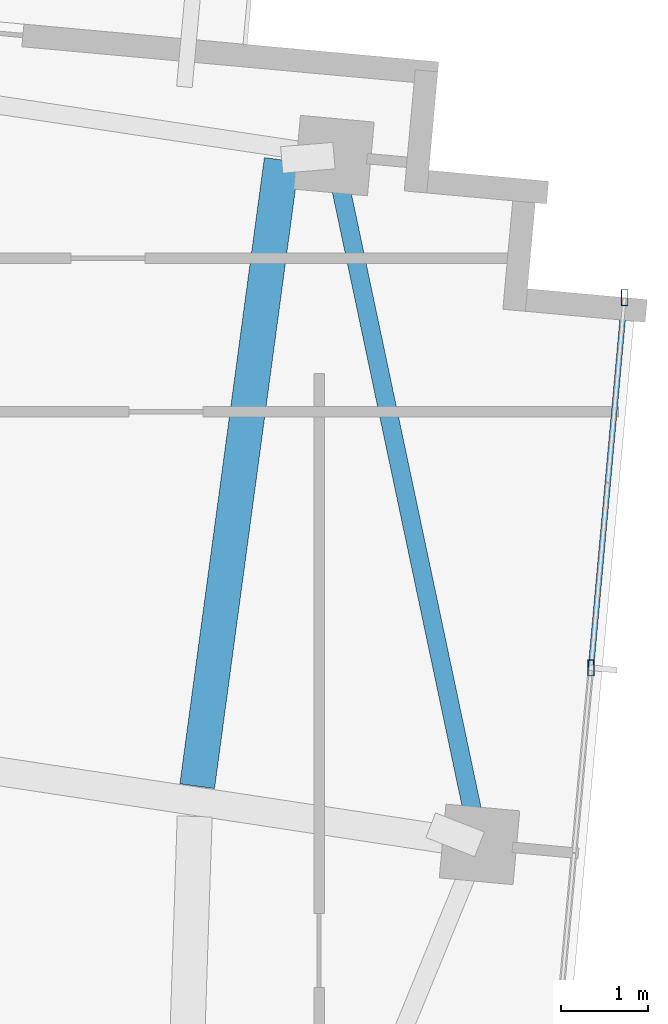
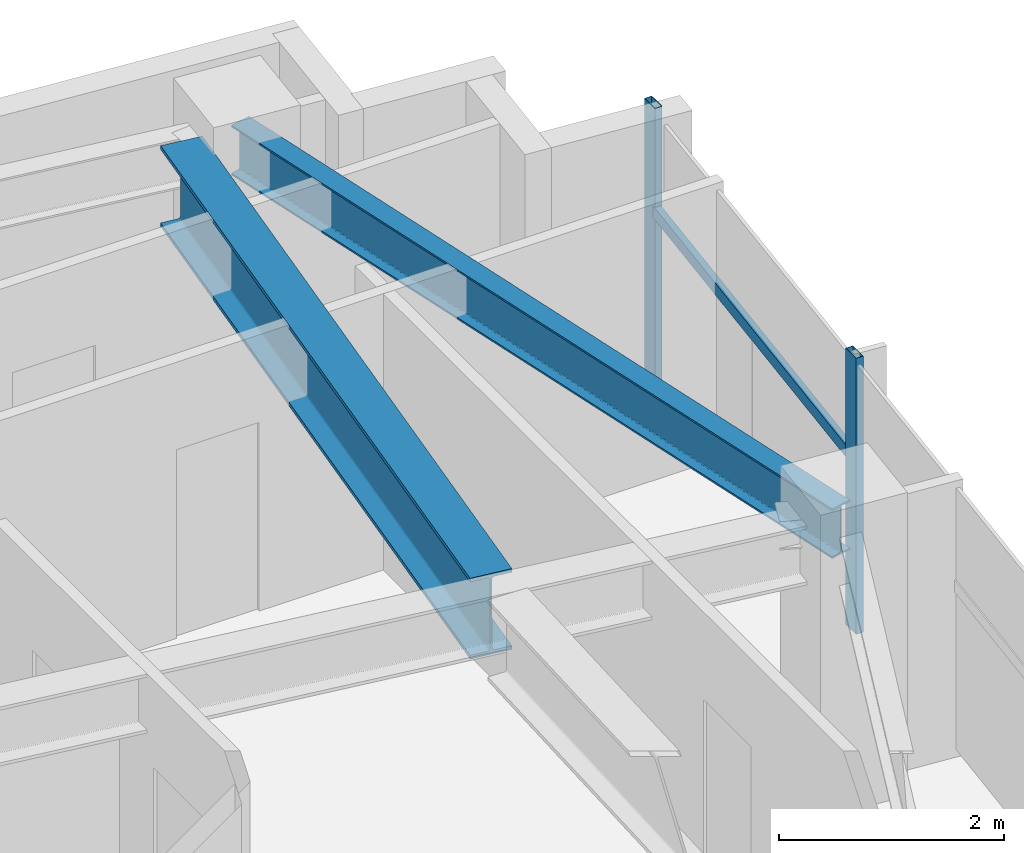
# One storey, part 14 of 22: 3 members, 2 beams, 1 element without a shape of its own.
"""IFC4 building model written with IfcOpenShell, lengths in metres."""

from ifc_helpers import new_model, si_unit, direction, frame, origin, origin_2d, place, context, subcontext, project, spatial, hollow_rectangle, i_section, extrude, source, transform, mapped, material, material_profile, profile_set, type_object, type_shapes, element, aggregate, save


model = new_model("IFC4")

# Units and contexts
model_context = context("Model", 3, precision=1e-05, world=origin(), true_north=direction((0.0, 1.0)))
body_context = subcontext(model_context, "Body", "Model", "MODEL_VIEW")
ifc_project = project(units=[si_unit("LENGTHUNIT", "METRE"), si_unit("AREAUNIT", "SQUARE_METRE"), si_unit("VOLUMEUNIT", "CUBIC_METRE"), si_unit("PLANEANGLEUNIT", "RADIAN"), si_unit("MASSUNIT", "GRAM", prefix="KILO")], contexts=[model_context])

# Site, building, storey
site_placement = place(None, origin())
site = spatial("IfcSite", under=ifc_project, at=site_placement, CompositionType="ELEMENT")
building_placement = place(site_placement, origin())
building = spatial("IfcBuilding", under=site, at=building_placement, Name="Astriad Promenade Condominiums", CompositionType="ELEMENT")
storey_placement = place(building_placement, frame((0.0, 0.0, 256.199951171875)))
storey = spatial("IfcBuildingStorey", under=building, at=storey_placement, Name="L74", CompositionType="ELEMENT", Elevation=256.199951171875)

# Beams
ifc_material_1 = material(Name="Steel ASTM A992 Grade 50", Category="steel")
ifc_material_profile_1 = material_profile(ifc_material_1, i_section(OverallWidth=0.210693359375, OverallDepth=0.53955078125, WebThickness=0.01171875, FlangeThickness=0.018798828125, FilletRadius=0.0166015625, at=origin_2d()), Name="W21X73")
ifc_profile_set_1 = profile_set([ifc_material_profile_1], Name="Steel ASTM A992 Grade 50")
beam_type_1 = type_object("IfcBeamType", Name="STEEL SPANDREL BEAM W21X73", PredefinedType="SPANDREL", material=ifc_profile_set_1)
shared_shape_1 = source(origin(), body_context, "Body", "SweptSolid", [
    extrude(i_section(OverallWidth=0.210693359375, OverallDepth=0.53955078125, WebThickness=0.01171875, FlangeThickness=0.018798828125, FilletRadius=0.0166015625, at=origin_2d()), origin(), (0.0, 0.0, 1.0), 7.99853515625),
])
type_shapes(beam_type_1, [shared_shape_1])
beam_1_placement = place(storey_placement, frame((54.88037109375, 16.02880859375, 2.73046875), z_axis=(-0.20676418926, 0.978390806396, 0.0), x_axis=(-0.978390806396, -0.20676418926, 0.0)))
element("IfcBeam", 1, at=beam_1_placement, inside=storey, type_object=beam_type_1, Name="Perimeter Spandrel Beam SP-E2-L74", PredefinedType="SPANDREL", context=body_context, shape_type="MappedRepresentation", body=[
    mapped(shared_shape_1, transform((0.0, 0.0, 0.0), scale=1.0)),
])
ifc_material_profile_2 = material_profile(ifc_material_1, i_section(OverallWidth=0.4013671875, OverallDepth=0.877197265625, WebThickness=0.022216796875, FlangeThickness=0.039794921875, FilletRadius=0.02294921875, at=origin_2d()), Name="W33X263")
ifc_profile_set_2 = profile_set([ifc_material_profile_2], Name="Steel ASTM A992 Grade 50")
beam_type_2 = type_object("IfcBeamType", Name="STEEL TRANSFER CARRIER GIRDER W33X263", PredefinedType="BEAM", material=ifc_profile_set_2)
shared_shape_2 = source(origin(), body_context, "Body", "SweptSolid", [
    extrude(i_section(OverallWidth=0.4013671875, OverallDepth=0.877197265625, WebThickness=0.022216796875, FlangeThickness=0.039794921875, FilletRadius=0.02294921875, at=origin_2d()), origin(), (0.0, 0.0, 1.0), 7.25244140625),
])
type_shapes(beam_type_2, [shared_shape_2])
beam_2_placement = place(storey_placement, frame((51.64892578125, 16.6572265625, 2.5615234375), z_axis=(0.133711492748, 0.991020300855, 0.0), x_axis=(-0.991020300855, 0.133711492748, 0.0)))
element("IfcBeam", 2, at=beam_2_placement, inside=storey, type_object=beam_type_2, Name="Transfer Splice Carrier TRM-SP-PC10-L74", PredefinedType="BEAM", context=body_context, shape_type="MappedRepresentation", body=[
    mapped(shared_shape_2, transform((0.0, 0.0, 0.0), scale=1.0)),
])

# Curtain wall, members
ifc_material_2 = material(Name="Anodised aluminium Black Dark Glass Unitised", Category="aluminium")
curtain_wall_type = type_object("IfcCurtainWallType", Name="CW-B5-DARK", PredefinedType="USERDEFINED", material=ifc_material_2)
curtain_wall_placement = place(storey_placement, origin())
curtain_wall = element("IfcCurtainWall", 3, at=curtain_wall_placement, inside=storey, type_object=curtain_wall_type, Name="CW-L74-E", ObjectType="UNITISED_CURTAIN_WALL", PredefinedType="USERDEFINED")
ifc_material_3 = material(Name="Anodised aluminium 6063-T6 Black", Category="aluminium")
ifc_material_profile_3 = material_profile(ifc_material_3, hollow_rectangle(XDim=0.06494140625, YDim=0.1298828125, WallThickness=0.00390625, at=origin_2d()), Name="ALU-TRN-65X130")
ifc_profile_set_3 = profile_set([ifc_material_profile_3], Name="Anodised aluminium 6063-T6 Black")
member_type_1 = type_object("IfcMemberType", Name="TRN-ALU-TRN-65X130", PredefinedType="USERDEFINED", material=ifc_profile_set_3)
shared_shape_3 = source(origin(), body_context, "Body", "SweptSolid", [
    extrude(hollow_rectangle(XDim=0.06494140625, YDim=0.1298828125, WallThickness=0.00390625, at=origin_2d()), origin(), (0.0, 0.0, 1.0), 4.2666015625),
])
type_shapes(member_type_1, [shared_shape_3])
member_1_placement = place(storey_placement, frame((56.55419921875, 22.2646484375, 1.860107421875), z_axis=(-0.090638931954, -0.99588382054, 0.0), x_axis=(0.99588382054, -0.090638931954, 0.0)))
member_1 = element("IfcMember", 4, at=member_1_placement, type_object=member_type_1, Name="CW-L74-E-TRN-00-0", ObjectType="TRANSOM", PredefinedType="USERDEFINED", context=body_context, shape_type="MappedRepresentation", body=[
    mapped(shared_shape_3, transform((0.0, 0.0, 0.0), scale=1.0)),
])
ifc_material_profile_4 = material_profile(ifc_material_3, hollow_rectangle(XDim=0.074951171875, YDim=0.18505859375, WallThickness=0.00439453125, at=origin_2d()), Name="ALU-MUL-75X185")
ifc_profile_set_4 = profile_set([ifc_material_profile_4], Name="Anodised aluminium 6063-T6 Black")
member_type_2 = type_object("IfcMemberType", Name="MUL-ALU-MUL-75X185", PredefinedType="MULLION", material=ifc_profile_set_4)
shared_shape_4 = source(origin(), body_context, "Body", "SweptSolid", [
    extrude(hollow_rectangle(XDim=0.074951171875, YDim=0.18505859375, WallThickness=0.00439453125, at=origin_2d()), origin(), (0.0, 0.0, 1.0), 3.0),
])
type_shapes(member_type_2, [shared_shape_4])
member_2_placement = place(storey_placement, frame((56.55419921875, 22.2646484375, 0.0), z_axis=(0.0, 0.0, 1.0), x_axis=(1.0, 0.0, 0.0)))
member_2 = element("IfcMember", 5, at=member_2_placement, type_object=member_type_2, Name="CW-L74-E-MUL-00", PredefinedType="MULLION", context=body_context, shape_type="MappedRepresentation", body=[
    mapped(shared_shape_4, transform((0.0, 0.0, 0.0), scale=1.0)),
])
member_3_placement = place(storey_placement, frame((56.16748046875, 18.015625, 0.0), z_axis=(0.0, 0.0, 1.0), x_axis=(1.0, 0.0, 0.0)))
member_3 = element("IfcMember", 6, at=member_3_placement, type_object=member_type_2, Name="CW-L74-E-MUL-01", PredefinedType="MULLION", context=body_context, shape_type="MappedRepresentation", body=[
    mapped(shared_shape_4, transform((0.0, 0.0, 0.0), scale=1.0)),
])
aggregate(curtain_wall, [member_2, member_3, member_1])

save(model, "model.ifc")
